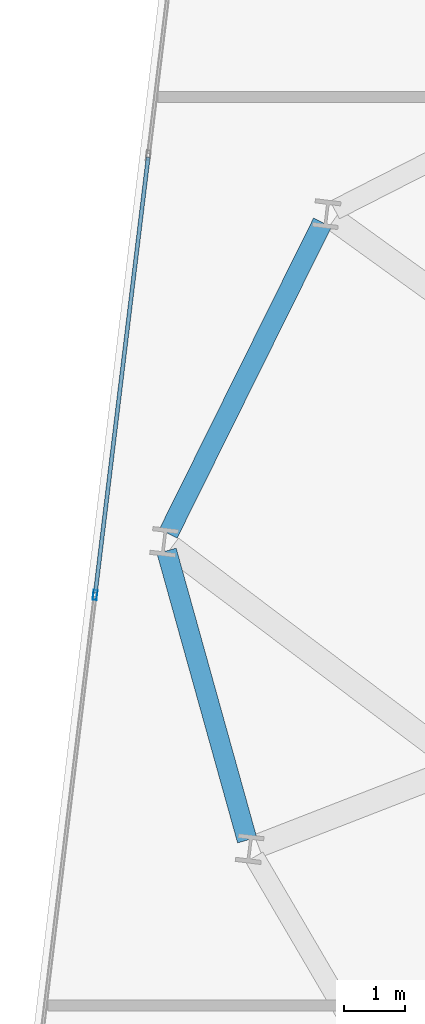
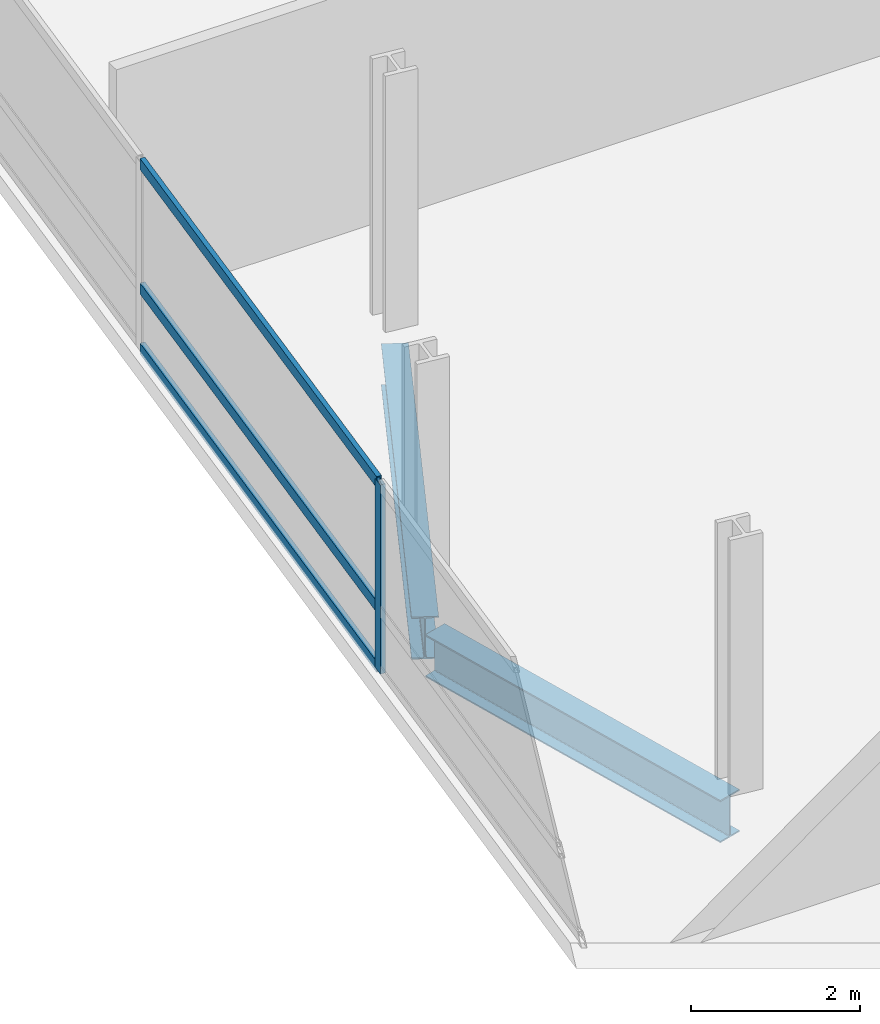
# One storey, part 8 of 25: 4 members, 2 beams, 1 element without a shape of its own.
"""IFC4 building model written with IfcOpenShell, lengths in metres."""

from ifc_helpers import new_model, si_unit, direction, frame, origin, origin_2d, place, context, subcontext, project, spatial, hollow_rectangle, i_section, extrude, material, layer, layer_set, material_profile, profile_set, type_object, element, aggregate, save


model = new_model("IFC4")

# Units and contexts
model_context = context("Model", 3, precision=1e-05, world=origin(), true_north=direction((0.0, 1.0)))
body_context = subcontext(model_context, "Body", "Model", "MODEL_VIEW")
ifc_project = project(units=[si_unit("LENGTHUNIT", "METRE"), si_unit("AREAUNIT", "SQUARE_METRE"), si_unit("VOLUMEUNIT", "CUBIC_METRE"), si_unit("PLANEANGLEUNIT", "RADIAN"), si_unit("MASSUNIT", "GRAM", prefix="KILO")], contexts=[model_context])

# Site, building, storey
site_placement = place(None, origin())
site = spatial("IfcSite", under=ifc_project, at=site_placement, CompositionType="ELEMENT")
building_placement = place(site_placement, origin())
building = spatial("IfcBuilding", under=site, at=building_placement, Name="Varnelok Gate Tower", CompositionType="ELEMENT")
storey_placement = place(building_placement, frame((0.0, 0.0, 132.800048828125)))
storey = spatial("IfcBuildingStorey", under=building, at=storey_placement, Name="L33", CompositionType="ELEMENT", Elevation=132.800048828125)

# Beams
ifc_material_1 = material(Name="Structural Steel ASTM A992 Grade 50", Category="steel")
ifc_material_profile_1 = material_profile(ifc_material_1, i_section(OverallWidth=0.323974609375, OverallDepth=0.611083984375, WebThickness=0.0126953125, FlangeThickness=0.01904296875, FilletRadius=0.01806640625, at=origin_2d()), Name="W24X104")
ifc_profile_set_1 = profile_set([ifc_material_profile_1], Name="Structural Steel ASTM A992 Grade 50")
beam_type = type_object("IfcBeamType", Name="BM-SPN-W24X104", PredefinedType="SPANDREL", material=ifc_profile_set_1)
beam_1_placement = place(storey_placement, frame((6.54052734375, 39.391357421875, -0.5556640625), z_axis=(-0.444186129993, -0.89593452993, 0.0), x_axis=(0.89593452993, -0.444186129993, 0.0)))
element("IfcBeam", 1, at=beam_1_placement, inside=storey, type_object=beam_type, Name="L33 Perimeter Spandrel Beam 14", PredefinedType="SPANDREL", context=body_context, shape_type="SweptSolid", body=[
    extrude(i_section(OverallWidth=0.323974609375, OverallDepth=0.611083984375, WebThickness=0.0126953125, FlangeThickness=0.01904296875, FilletRadius=0.01806640625, at=origin_2d()), origin(), (0.0, 0.0, 1.0), 5.649658203125),
])
beam_2_placement = place(storey_placement, frame((4.004638671875, 34.050537109375, -0.5556640625), z_axis=(0.268350251133, -0.963321411948, 0.0), x_axis=(0.963321411948, 0.268350251133, 0.0)))
element("IfcBeam", 2, at=beam_2_placement, inside=storey, type_object=beam_type, Name="L33 Perimeter Spandrel Beam 15", PredefinedType="SPANDREL", context=body_context, shape_type="SweptSolid", body=[
    extrude(i_section(OverallWidth=0.323974609375, OverallDepth=0.611083984375, WebThickness=0.0126953125, FlangeThickness=0.01904296875, FilletRadius=0.01806640625, at=origin_2d()), origin(), (0.0, 0.0, 1.0), 4.8837890625),
])

# Curtain wall, members
ifc_material_2 = material(Name="Anodized Aluminum Alloy 6063-T6", Category="aluminium")
ifc_layer = layer(ifc_material_2, 0.179931640625)
ifc_layer_set = layer_set([ifc_layer], Name="Anodized Aluminum Alloy 6063-T6")
curtain_wall_type = type_object("IfcCurtainWallType", Name="CW3-HOTEL-VISION", PredefinedType="USERDEFINED", material=ifc_layer_set)
curtain_wall_placement = place(storey_placement, origin())
curtain_wall = element("IfcCurtainWall", 3, at=curtain_wall_placement, inside=storey, type_object=curtain_wall_type, Name="L33 West End Vision Curtain Wall", ObjectType="UNITISED CURTAIN WALL", PredefinedType="USERDEFINED")
ifc_material_profile_2 = material_profile(ifc_material_2, hollow_rectangle(XDim=0.06494140625, YDim=0.159912109375, WallThickness=0.00390625, at=origin_2d()), Name="ALU160X65X4")
ifc_profile_set_2 = profile_set([ifc_material_profile_2], Name="Anodized Aluminum Alloy 6063-T6")
member_type_1 = type_object("IfcMemberType", Name="CW-MULL-160", PredefinedType="MULLION", material=ifc_profile_set_2)
member_1_placement = place(storey_placement, frame((2.842529296875, 33.333740234375, 0.0), z_axis=(0.0, 0.0, 1.0), x_axis=(-0.99273188146, 0.120347046212, 0.0)))
member_1 = element("IfcMember", 4, at=member_1_placement, type_object=member_type_1, Name="CW3 mullion 4", PredefinedType="MULLION", context=body_context, shape_type="SweptSolid", body=[
    extrude(hollow_rectangle(XDim=0.06494140625, YDim=0.159912109375, WallThickness=0.00390625, at=origin_2d()), origin(), (0.0, 0.0, 1.0), 2.72998046875),
])
ifc_material_profile_3 = material_profile(ifc_material_2, hollow_rectangle(XDim=0.06494140625, YDim=0.159912109375, WallThickness=0.00390625, at=origin_2d()), Name="ALU160X65X4")
ifc_profile_set_3 = profile_set([ifc_material_profile_3], Name="Anodized Aluminum Alloy 6063-T6")
member_type_2 = type_object("IfcMemberType", Name="CW-TRAN-160", PredefinedType="USERDEFINED", material=ifc_profile_set_3)
member_2_placement = place(storey_placement, frame((2.846435546875, 33.3662109375, 0.032470703125), z_axis=(0.120344652138, 0.992732171687, 0.0), x_axis=(-0.992732171687, 0.120344652138, 0.0)))
member_2 = element("IfcMember", 5, at=member_2_placement, type_object=member_type_2, Name="CW3 transom 4.1", ObjectType="TRANSOM", PredefinedType="USERDEFINED", context=body_context, shape_type="SweptSolid", body=[
    extrude(hollow_rectangle(XDim=0.06494140625, YDim=0.159912109375, WallThickness=0.00390625, at=origin_2d()), origin(), (0.0, 0.0, 1.0), 7.134765625),
])
member_3_placement = place(storey_placement, frame((2.846435546875, 33.3662109375, 0.89990234375), z_axis=(0.120344652138, 0.992732171687, 0.0), x_axis=(-0.992732171687, 0.120344652138, 0.0)))
member_3 = element("IfcMember", 6, at=member_3_placement, type_object=member_type_2, Name="CW3 transom 4.2", ObjectType="TRANSOM", PredefinedType="USERDEFINED", context=body_context, shape_type="SweptSolid", body=[
    extrude(hollow_rectangle(XDim=0.06494140625, YDim=0.159912109375, WallThickness=0.00390625, at=origin_2d()), origin(), (0.0, 0.0, 1.0), 7.134765625),
])
member_4_placement = place(storey_placement, frame((2.846435546875, 33.3662109375, 2.697509765625), z_axis=(0.120344652138, 0.992732171687, 0.0), x_axis=(-0.992732171687, 0.120344652138, 0.0)))
member_4 = element("IfcMember", 7, at=member_4_placement, type_object=member_type_2, Name="CW3 transom 4.3", ObjectType="TRANSOM", PredefinedType="USERDEFINED", context=body_context, shape_type="SweptSolid", body=[
    extrude(hollow_rectangle(XDim=0.06494140625, YDim=0.159912109375, WallThickness=0.00390625, at=origin_2d()), origin(), (0.0, 0.0, 1.0), 7.134765625),
])
aggregate(curtain_wall, [member_1, member_2, member_3, member_4])

save(model, "model.ifc")
